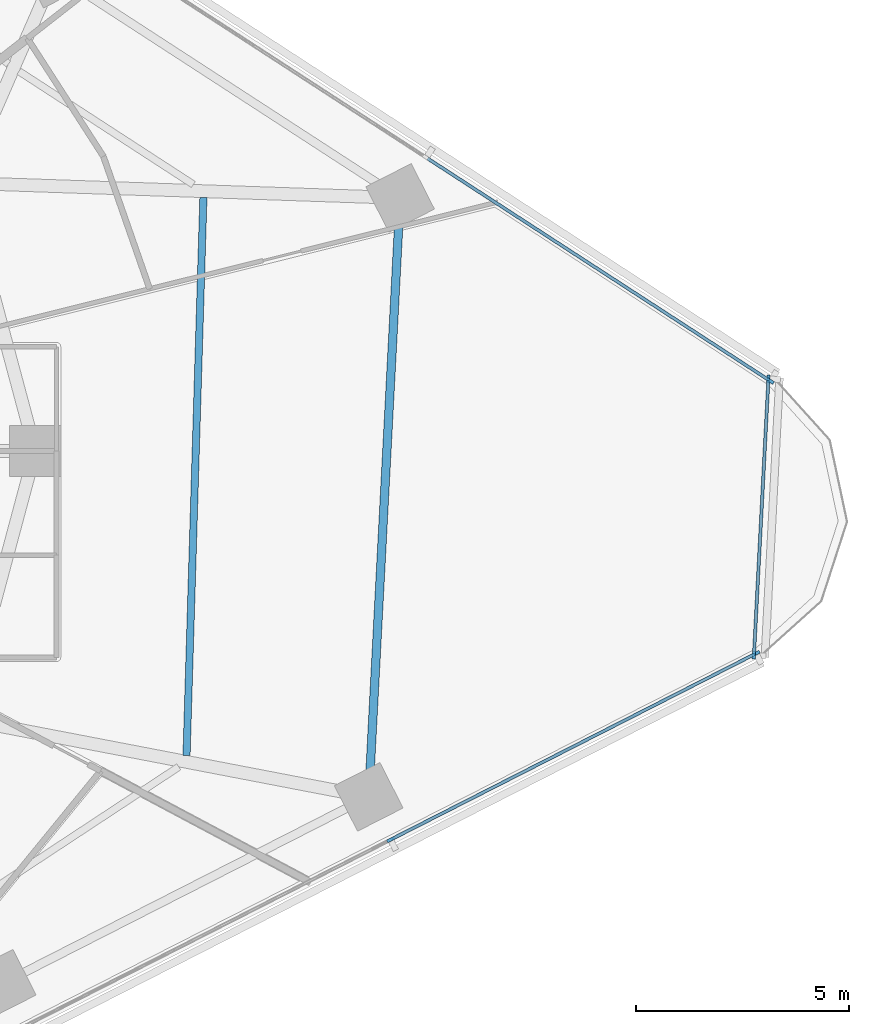
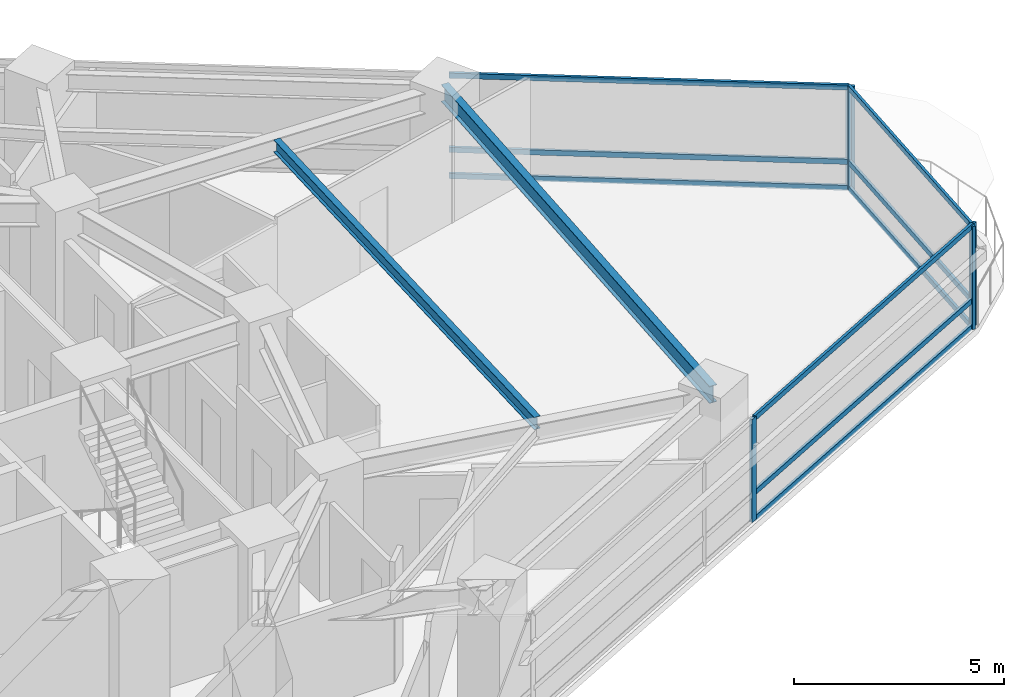
# One storey, part 4 of 14: 14 members, 2 beams, 3 elements without a shape of their own.
"""IFC4 building model written with IfcOpenShell, lengths in metres."""

from ifc_helpers import new_model, si_unit, direction, frame, origin, origin_2d, place, context, subcontext, project, spatial, rectangle, i_section, extrude, material, layer, layer_set, material_profile, profile_set, type_object, element, aggregate, save


model = new_model("IFC4")

# Units and contexts
model_context = context("Model", 3, precision=1e-05, world=origin(), true_north=direction((0.0, 1.0)))
body_context = subcontext(model_context, "Body", "Model", "MODEL_VIEW")
ifc_project = project(units=[si_unit("LENGTHUNIT", "METRE"), si_unit("AREAUNIT", "SQUARE_METRE"), si_unit("VOLUMEUNIT", "CUBIC_METRE"), si_unit("PLANEANGLEUNIT", "RADIAN"), si_unit("MASSUNIT", "GRAM", prefix="KILO")], contexts=[model_context])

# Site, building, storey
site_placement = place(None, origin())
site = spatial("IfcSite", under=ifc_project, at=site_placement, CompositionType="ELEMENT")
building_placement = place(site_placement, origin())
building = spatial("IfcBuilding", under=site, at=building_placement, Name="Terralouvre Media Tower", CompositionType="ELEMENT")
storey_placement = place(building_placement, frame((0.0, 0.0, 123.60009765625)))
storey = spatial("IfcBuildingStorey", under=building, at=storey_placement, Name="L31", CompositionType="ELEMENT", Elevation=123.60009765625)

# Beam
ifc_material_1 = material(Name="Structural steel S355J2", Category="steel")
ifc_material_profile_1 = material_profile(ifc_material_1, i_section(OverallWidth=0.169921875, OverallDepth=0.360107421875, WebThickness=0.008056640625, FlangeThickness=0.0126953125, at=origin_2d()), Name="IPE 360")
ifc_profile_set_1 = profile_set([ifc_material_profile_1], Name="Structural steel S355J2")
beam_type_1 = type_object("IfcBeamType", Name="Composite Floor Joist J-IPE360 (IPE 360)", PredefinedType="JOIST", material=ifc_profile_set_1)
beam_1_placement = place(storey_placement, frame((16.156005859375, -7.156005859375, 3.31982421875), z_axis=(0.030223204966, 0.999543174596, 0.0), x_axis=(-0.999543174596, 0.030223204966, 0.0)))
element("IfcBeam", 1, at=beam_1_placement, inside=storey, type_object=beam_type_1, Name="L31 Framing Beam JT-L31-06", PredefinedType="JOIST", context=body_context, shape_type="SweptSolid", body=[
    extrude(i_section(OverallWidth=0.169921875, OverallDepth=0.360107421875, WebThickness=0.008056640625, FlangeThickness=0.0126953125, at=origin_2d()), origin(), (0.0, 0.0, 1.0), 13.11865234375),
])

# Curtain wall, members
ifc_material_2 = material(Name="Low-iron laminated double glazing with solar-control coating", Category="glass")
ifc_layer_1 = layer(ifc_material_2, 0.1650390625, Name="Production Studio Tower Curtain Wall CW-03")
ifc_layer_set_1 = layer_set([ifc_layer_1], Name="Low-iron laminated double glazing with solar-control coating")
curtain_wall_type_1 = type_object("IfcCurtainWallType", Name="Production Studio Tower Curtain Wall CW-03", PredefinedType="NOTDEFINED", material=ifc_layer_set_1)
curtain_wall_1_placement = place(storey_placement, origin())
curtain_wall_1 = element("IfcCurtainWall", 2, at=curtain_wall_1_placement, inside=storey, type_object=curtain_wall_type_1, Name="L31 Facade Curtain Wall F0", PredefinedType="NOTDEFINED")
ifc_material_3 = material(Name="Anodised extruded aluminium 6063-T6", Category="aluminium")
ifc_material_profile_2 = material_profile(ifc_material_3, rectangle(XDim=0.074951171875, YDim=0.14990234375, at=origin_2d()), Name="ALU 75x150")
ifc_profile_set_2 = profile_set([ifc_material_profile_2], Name="Anodised extruded aluminium 6063-T6")
member_type_1 = type_object("IfcMemberType", Name="Curtain-Wall Horizontal Transom TR-150", PredefinedType="USERDEFINED", material=ifc_profile_set_2)
member_1_placement = place(storey_placement, frame((20.984619140625, -9.118896484375, 0.037353515625), z_axis=(0.891007557644, 0.453988471462, 0.0), x_axis=(-0.453988471462, 0.891007557644, 0.0)))
member_1 = element("IfcMember", 3, at=member_1_placement, type_object=member_type_1, Name="CW-03 transom 5.1", ObjectType="TRANSOM", PredefinedType="USERDEFINED", context=body_context, shape_type="SweptSolid", body=[
    extrude(rectangle(XDim=0.074951171875, YDim=0.14990234375, at=origin_2d()), origin(), (0.0, 0.0, 1.0), 9.5673828125),
])
member_2_placement = place(storey_placement, frame((20.984619140625, -9.118896484375, 0.7998046875), z_axis=(0.891007557644, 0.453988471462, 0.0), x_axis=(-0.453988471462, 0.891007557644, 0.0)))
member_2 = element("IfcMember", 4, at=member_2_placement, type_object=member_type_1, Name="CW-03 transom 5.2", ObjectType="TRANSOM", PredefinedType="USERDEFINED", context=body_context, shape_type="SweptSolid", body=[
    extrude(rectangle(XDim=0.074951171875, YDim=0.14990234375, at=origin_2d()), origin(), (0.0, 0.0, 1.0), 9.5673828125),
])
member_3_placement = place(storey_placement, frame((20.984619140625, -9.118896484375, 2.96240234375), z_axis=(0.891007557644, 0.453988471462, 0.0), x_axis=(-0.453988471462, 0.891007557644, 0.0)))
member_3 = element("IfcMember", 5, at=member_3_placement, type_object=member_type_1, Name="CW-03 transom 5.3", ObjectType="TRANSOM", PredefinedType="USERDEFINED", context=body_context, shape_type="SweptSolid", body=[
    extrude(rectangle(XDim=0.074951171875, YDim=0.14990234375, at=origin_2d()), origin(), (0.0, 0.0, 1.0), 9.5673828125),
])

curtain_wall_2_placement = place(storey_placement, origin())
curtain_wall_2 = element("IfcCurtainWall", 6, at=curtain_wall_2_placement, inside=storey, type_object=curtain_wall_type_1, Name="L31 Facade Curtain Wall F1", PredefinedType="NOTDEFINED")
member_4_placement = place(storey_placement, frame((29.846923828125, 1.664794921875, 0.037353515625), z_axis=(-0.838683148474, 0.544619662211, 0.0), x_axis=(-0.544619662211, -0.838683148474, 0.0)))
member_4 = element("IfcMember", 7, at=member_4_placement, type_object=member_type_1, Name="CW-03 transom 1.1", ObjectType="TRANSOM", PredefinedType="USERDEFINED", context=body_context, shape_type="SweptSolid", body=[
    extrude(rectangle(XDim=0.074951171875, YDim=0.14990234375, at=origin_2d()), origin(), (0.0, 0.0, 1.0), 9.567626953125),
])
member_5_placement = place(storey_placement, frame((29.846923828125, 1.664794921875, 0.7998046875), z_axis=(-0.838683148474, 0.544619662211, 0.0), x_axis=(-0.544619662211, -0.838683148474, 0.0)))
member_5 = element("IfcMember", 8, at=member_5_placement, type_object=member_type_1, Name="CW-03 transom 1.2", ObjectType="TRANSOM", PredefinedType="USERDEFINED", context=body_context, shape_type="SweptSolid", body=[
    extrude(rectangle(XDim=0.074951171875, YDim=0.14990234375, at=origin_2d()), origin(), (0.0, 0.0, 1.0), 9.567626953125),
])
member_6_placement = place(storey_placement, frame((29.846923828125, 1.664794921875, 2.96240234375), z_axis=(-0.838683148474, 0.544619662211, 0.0), x_axis=(-0.544619662211, -0.838683148474, 0.0)))
member_6 = element("IfcMember", 9, at=member_6_placement, type_object=member_type_1, Name="CW-03 transom 1.3", ObjectType="TRANSOM", PredefinedType="USERDEFINED", context=body_context, shape_type="SweptSolid", body=[
    extrude(rectangle(XDim=0.074951171875, YDim=0.14990234375, at=origin_2d()), origin(), (0.0, 0.0, 1.0), 9.567626953125),
])

ifc_material_4 = material(Name="Low-iron laminated double glazing with solar-control coating", Category="glass")
ifc_layer_2 = layer(ifc_material_4, 0.1650390625, Name="Rounded Wind-Corner Curved Glazing CW-04")
ifc_layer_set_2 = layer_set([ifc_layer_2], Name="Low-iron laminated double glazing with solar-control coating")
curtain_wall_type_2 = type_object("IfcCurtainWallType", Name="Rounded Wind-Corner Curved Glazing CW-04", PredefinedType="NOTDEFINED", material=ifc_layer_set_2)
curtain_wall_3_placement = place(storey_placement, origin())
curtain_wall_3 = element("IfcCurtainWall", 10, at=curtain_wall_3_placement, inside=storey, type_object=curtain_wall_type_2, Name="L31 Rounded Wind-Corner Curtain Wall C1", PredefinedType="NOTDEFINED")
member_7_placement = place(storey_placement, frame((29.49462890625, -4.76611328125, 0.037353515625), z_axis=(0.052343668365, 0.998629130549, 0.0), x_axis=(-0.998629130549, 0.052343668365, 0.0)))
member_7 = element("IfcMember", 11, at=member_7_placement, type_object=member_type_1, Name="CW-04 transom 1.1", ObjectType="TRANSOM", PredefinedType="USERDEFINED", context=body_context, shape_type="SweptSolid", body=[
    extrude(rectangle(XDim=0.074951171875, YDim=0.14990234375, at=origin_2d()), origin(), (0.0, 0.0, 1.0), 6.431884765625),
])
member_8_placement = place(storey_placement, frame((29.49462890625, -4.76611328125, 0.7998046875), z_axis=(0.052343668365, 0.998629130549, 0.0), x_axis=(-0.998629130549, 0.052343668365, 0.0)))
member_8 = element("IfcMember", 12, at=member_8_placement, type_object=member_type_1, Name="CW-04 transom 1.2", ObjectType="TRANSOM", PredefinedType="USERDEFINED", context=body_context, shape_type="SweptSolid", body=[
    extrude(rectangle(XDim=0.074951171875, YDim=0.14990234375, at=origin_2d()), origin(), (0.0, 0.0, 1.0), 6.431884765625),
])
member_9_placement = place(storey_placement, frame((29.49462890625, -4.76611328125, 2.96240234375), z_axis=(0.052343668365, 0.998629130549, 0.0), x_axis=(-0.998629130549, 0.052343668365, 0.0)))
member_9 = element("IfcMember", 13, at=member_9_placement, type_object=member_type_1, Name="CW-04 transom 1.3", ObjectType="TRANSOM", PredefinedType="USERDEFINED", context=body_context, shape_type="SweptSolid", body=[
    extrude(rectangle(XDim=0.074951171875, YDim=0.14990234375, at=origin_2d()), origin(), (0.0, 0.0, 1.0), 6.431884765625),
])

# Member
ifc_material_5 = material(Name="Anodised extruded aluminium 6063-T6", Category="aluminium")
ifc_material_profile_3 = material_profile(ifc_material_5, rectangle(XDim=0.074951171875, YDim=0.179931640625, at=origin_2d()), Name="ALU 75x180")
ifc_profile_set_3 = profile_set([ifc_material_profile_3], Name="Anodised extruded aluminium 6063-T6")
member_type_2 = type_object("IfcMemberType", Name="Curtain-Wall Vertical Mullion ML-180", PredefinedType="MULLION", material=ifc_profile_set_3)
member_10_placement = place(storey_placement, frame((20.951171875, -9.135986328125, 0.0), z_axis=(0.0, 0.0, 1.0), x_axis=(-0.4539905449, 0.891006501178, 0.0)))
member_10 = element("IfcMember", 14, at=member_10_placement, type_object=member_type_2, Name="CW-03 mullion 5", PredefinedType="MULLION", context=body_context, shape_type="SweptSolid", body=[
    extrude(rectangle(XDim=0.074951171875, YDim=0.179931640625, at=origin_2d()), origin(), (0.0, 0.0, 1.0), 3.0),
])

member_11_placement = place(storey_placement, frame((29.542724609375, -4.75830078125, 0.0), z_axis=(0.0, 0.0, 1.0), x_axis=(-0.4539905449, 0.891006501178, 0.0)))
member_11 = element("IfcMember", 15, at=member_11_placement, type_object=member_type_2, Name="CW-03 mullion 6", PredefinedType="MULLION", context=body_context, shape_type="SweptSolid", body=[
    extrude(rectangle(XDim=0.074951171875, YDim=0.179931640625, at=origin_2d()), origin(), (0.0, 0.0, 1.0), 3.0),
])

aggregate(curtain_wall_1, [member_10, member_11, member_1, member_2, member_3])

member_12_placement = place(storey_placement, frame((29.878173828125, 1.644287109375, 0.0), z_axis=(0.0, 0.0, 1.0), x_axis=(-0.544639002681, -0.838670588944, 0.0)))
member_12 = element("IfcMember", 16, at=member_12_placement, type_object=member_type_2, Name="CW-03 mullion 1", PredefinedType="MULLION", context=body_context, shape_type="SweptSolid", body=[
    extrude(rectangle(XDim=0.074951171875, YDim=0.179931640625, at=origin_2d()), origin(), (0.0, 0.0, 1.0), 3.0),
])

aggregate(curtain_wall_2, [member_12, member_4, member_5, member_6])

member_13_placement = place(storey_placement, frame((29.49267578125, -4.803466796875, 0.0), z_axis=(0.0, 0.0, 1.0), x_axis=(-0.998629489329, 0.052336823006, 0.0)))
member_13 = element("IfcMember", 17, at=member_13_placement, type_object=member_type_2, Name="CW-04 mullion 1", PredefinedType="MULLION", context=body_context, shape_type="SweptSolid", body=[
    extrude(rectangle(XDim=0.074951171875, YDim=0.179931640625, at=origin_2d()), origin(), (0.0, 0.0, 1.0), 3.0),
])

member_14_placement = place(storey_placement, frame((29.833251953125, 1.6943359375, 0.0), z_axis=(0.0, 0.0, 1.0), x_axis=(-0.998629489329, 0.052336823006, 0.0)))
member_14 = element("IfcMember", 18, at=member_14_placement, type_object=member_type_2, Name="CW-04 mullion 2", PredefinedType="MULLION", context=body_context, shape_type="SweptSolid", body=[
    extrude(rectangle(XDim=0.074951171875, YDim=0.179931640625, at=origin_2d()), origin(), (0.0, 0.0, 1.0), 3.0),
])

aggregate(curtain_wall_3, [member_13, member_14, member_7, member_8, member_9])

# Beam
ifc_material_6 = material(Name="Structural steel S355J2", Category="steel")
ifc_material_profile_4 = material_profile(ifc_material_6, i_section(OverallWidth=0.199951171875, OverallDepth=0.5, WebThickness=0.01025390625, FlangeThickness=0.01611328125, at=origin_2d()), Name="IPE 500")
ifc_profile_set_4 = profile_set([ifc_material_profile_4], Name="Structural steel S355J2")
beam_type_2 = type_object("IfcBeamType", Name="Perimeter Spandrel Beam SPB-500 (IPE 500)", PredefinedType="SPANDREL", material=ifc_profile_set_4)
beam_2_placement = place(storey_placement, frame((20.438232421875, -8.129150390625, 3.25), z_axis=(0.052337943139, 0.998629430624, 0.0), x_axis=(-0.998629430624, 0.052337943139, 0.0)))
element("IfcBeam", 19, at=beam_2_placement, inside=storey, type_object=beam_type_2, Name="L31 Framing Beam BM-L31-PR06", PredefinedType="SPANDREL", context=body_context, shape_type="SweptSolid", body=[
    extrude(i_section(OverallWidth=0.199951171875, OverallDepth=0.5, WebThickness=0.01025390625, FlangeThickness=0.01611328125, at=origin_2d()), origin(), (0.0, 0.0, 1.0), 14.0966796875),
])

save(model, "model.ifc")
